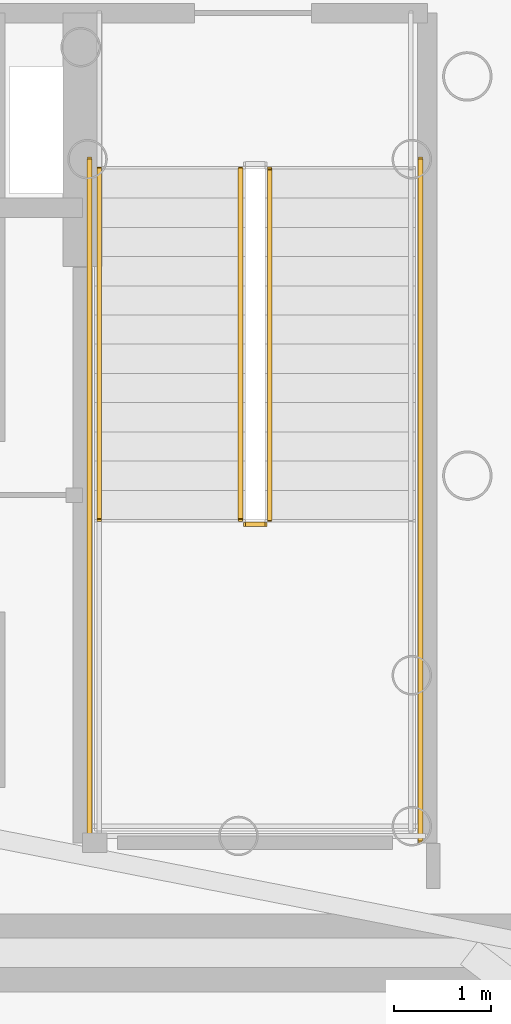
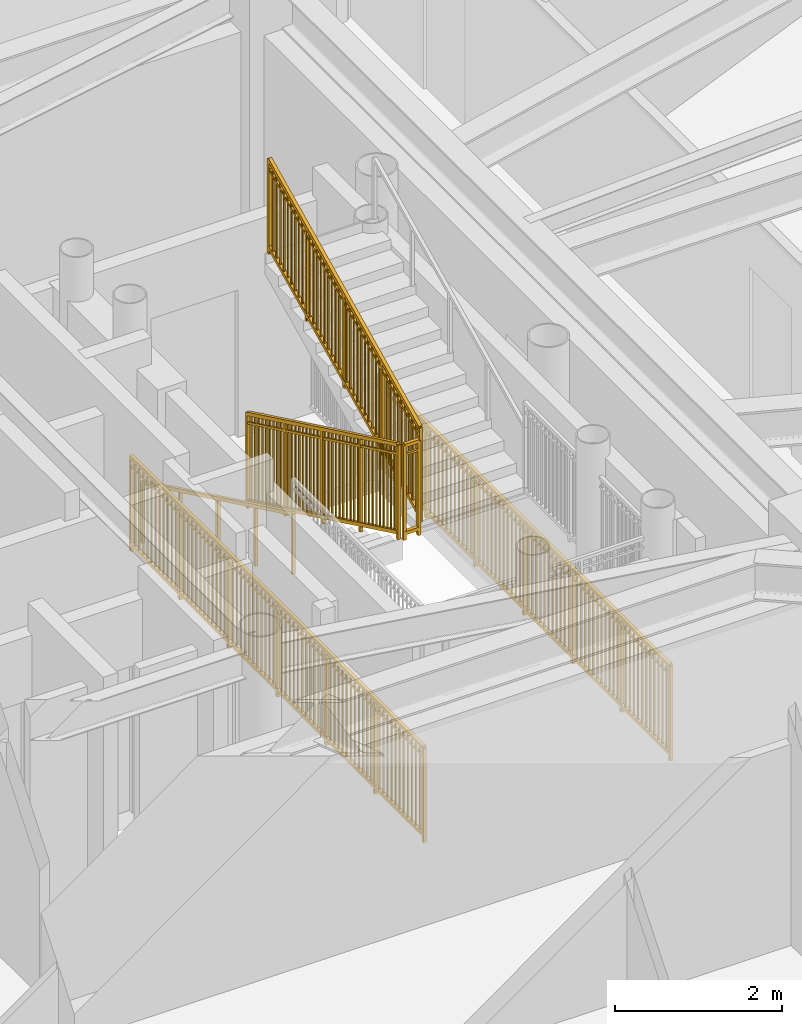
# One storey, part 17 of 18: 6 railings.
"""IFC4 building model written with IfcOpenShell, lengths in metres."""

from ifc_helpers import new_model, si_unit, direction, frame, origin, origin_2d, place, context, subcontext, project, spatial, rectangle, extrude, source, transform, mapped, material, type_object, element, save


model = new_model("IFC4")

# Units and contexts
model_context = context("Model", 3, precision=1e-05, world=origin(), true_north=direction((0.0, 1.0)))
body_context = subcontext(model_context, "Body", "Model", "MODEL_VIEW")
ifc_project = project(units=[si_unit("LENGTHUNIT", "METRE"), si_unit("AREAUNIT", "SQUARE_METRE"), si_unit("VOLUMEUNIT", "CUBIC_METRE"), si_unit("PLANEANGLEUNIT", "RADIAN"), si_unit("MASSUNIT", "GRAM", prefix="KILO")], contexts=[model_context])

# Site, building, storey
site_placement = place(None, origin())
site = spatial("IfcSite", under=ifc_project, at=site_placement, CompositionType="ELEMENT")
building_placement = place(site_placement, origin())
building = spatial("IfcBuilding", under=site, at=building_placement, Name="Linh Dai School and Residence Tower", CompositionType="ELEMENT")
storey_placement = place(building_placement, frame((0.0, 0.0, 100.949951171875)))
storey = spatial("IfcBuildingStorey", under=building, at=storey_placement, Name="L23", CompositionType="ELEMENT", Elevation=100.949951171875)

# Railings
ifc_material_1 = material(Name="Structural Steel S355JR", Category="steel")
railing_type_1 = type_object("IfcRailingType", Name="RL-ST-GUARD-1400", PredefinedType="GUARDRAIL", material=ifc_material_1)
shared_shape_1 = source(origin(), body_context, "Body", "SweptSolid", [
    extrude(rectangle(XDim=0.048095703125, YDim=0.048095703125, at=origin_2d()), frame((0.0, 0.0, 1.3759765625), z_axis=(0.0, 0.901262522062, 0.433273431364), x_axis=(-1.0, 0.0, 0.0)), (0.0, 0.0, 1.0), 3.994384765625),
    extrude(rectangle(XDim=0.048095703125, YDim=0.048095703125, at=origin_2d()), frame((0.0, 0.0, 0.10009765625), z_axis=(0.0, 0.901262522062, 0.433273431364), x_axis=(-1.0, 0.0, 0.0)), (0.0, 0.0, 1.0), 3.994384765625),
    extrude(rectangle(XDim=0.030029296875, YDim=0.030029296875, at=origin_2d()), frame((0.0, 0.0, 1.239990234375), z_axis=(0.0, 0.901262522062, 0.433273431364), x_axis=(-1.0, 0.0, 0.0)), (0.0, 0.0, 1.0), 3.994384765625),
    extrude(rectangle(XDim=0.02001953125, YDim=0.02001953125, at=origin_2d()), frame((0.0, 0.087890625, 0.142333984375)), (0.0, 0.0, 1.0), 1.251708984375),
    extrude(rectangle(XDim=0.02001953125, YDim=0.02001953125, at=origin_2d()), frame((0.0, 0.175537109375, 0.1845703125)), (0.0, 0.0, 1.0), 1.251708984375),
    extrude(rectangle(XDim=0.02001953125, YDim=0.02001953125, at=origin_2d()), frame((0.0, 0.263427734375, 0.226806640625)), (0.0, 0.0, 1.0), 1.251708984375),
    extrude(rectangle(XDim=0.02001953125, YDim=0.02001953125, at=origin_2d()), frame((0.0, 0.351318359375, 0.26904296875)), (0.0, 0.0, 1.0), 1.251708984375),
    extrude(rectangle(XDim=0.02001953125, YDim=0.02001953125, at=origin_2d()), frame((0.0, 0.43896484375, 0.311279296875)), (0.0, 0.0, 1.0), 1.251708984375),
    extrude(rectangle(XDim=0.02001953125, YDim=0.02001953125, at=origin_2d()), frame((0.0, 0.52685546875, 0.353271484375)), (0.0, 0.0, 1.0), 1.251708984375),
    extrude(rectangle(XDim=0.02001953125, YDim=0.02001953125, at=origin_2d()), frame((0.0, 0.61474609375, 0.3955078125)), (0.0, 0.0, 1.0), 1.251708984375),
    extrude(rectangle(XDim=0.02001953125, YDim=0.02001953125, at=origin_2d()), frame((0.0, 0.702392578125, 0.437744140625)), (0.0, 0.0, 1.0), 1.251708984375),
    extrude(rectangle(XDim=0.02001953125, YDim=0.02001953125, at=origin_2d()), frame((0.0, 0.790283203125, 0.47998046875)), (0.0, 0.0, 1.0), 1.251708984375),
    extrude(rectangle(XDim=0.02001953125, YDim=0.02001953125, at=origin_2d()), frame((0.0, 0.9658203125, 0.564453125)), (0.0, 0.0, 1.0), 1.251708984375),
    extrude(rectangle(XDim=0.02001953125, YDim=0.02001953125, at=origin_2d()), frame((0.0, 1.0537109375, 0.606689453125)), (0.0, 0.0, 1.0), 1.251708984375),
    extrude(rectangle(XDim=0.02001953125, YDim=0.02001953125, at=origin_2d()), frame((0.0, 1.1416015625, 0.64892578125)), (0.0, 0.0, 1.0), 1.251708984375),
    extrude(rectangle(XDim=0.02001953125, YDim=0.02001953125, at=origin_2d()), frame((0.0, 1.229248046875, 0.691162109375)), (0.0, 0.0, 1.0), 1.251708984375),
    extrude(rectangle(XDim=0.02001953125, YDim=0.02001953125, at=origin_2d()), frame((0.0, 1.317138671875, 0.7333984375)), (0.0, 0.0, 1.0), 1.251708984375),
    extrude(rectangle(XDim=0.02001953125, YDim=0.02001953125, at=origin_2d()), frame((0.0, 1.405029296875, 0.775390625)), (0.0, 0.0, 1.0), 1.251708984375),
    extrude(rectangle(XDim=0.02001953125, YDim=0.02001953125, at=origin_2d()), frame((0.0, 1.49267578125, 0.817626953125)), (0.0, 0.0, 1.0), 1.251708984375),
    extrude(rectangle(XDim=0.02001953125, YDim=0.02001953125, at=origin_2d()), frame((0.0, 1.58056640625, 0.85986328125)), (0.0, 0.0, 1.0), 1.251708984375),
    extrude(rectangle(XDim=0.02001953125, YDim=0.02001953125, at=origin_2d()), frame((0.0, 1.66845703125, 0.902099609375)), (0.0, 0.0, 1.0), 1.251708984375),
    extrude(rectangle(XDim=0.02001953125, YDim=0.02001953125, at=origin_2d()), frame((0.0, 1.756103515625, 0.9443359375)), (0.0, 0.0, 1.0), 1.251708984375),
    extrude(rectangle(XDim=0.02001953125, YDim=0.02001953125, at=origin_2d()), frame((0.0, 1.843994140625, 0.986572265625)), (0.0, 0.0, 1.0), 1.251708984375),
    extrude(rectangle(XDim=0.02001953125, YDim=0.02001953125, at=origin_2d()), frame((0.0, 1.931640625, 1.02880859375)), (0.0, 0.0, 1.0), 1.251708984375),
    extrude(rectangle(XDim=0.02001953125, YDim=0.02001953125, at=origin_2d()), frame((0.0, 2.01953125, 1.071044921875)), (0.0, 0.0, 1.0), 1.251708984375),
    extrude(rectangle(XDim=0.02001953125, YDim=0.02001953125, at=origin_2d()), frame((0.0, 2.107421875, 1.11328125)), (0.0, 0.0, 1.0), 1.251708984375),
    extrude(rectangle(XDim=0.02001953125, YDim=0.02001953125, at=origin_2d()), frame((0.0, 2.195068359375, 1.155517578125)), (0.0, 0.0, 1.0), 1.251708984375),
    extrude(rectangle(XDim=0.02001953125, YDim=0.02001953125, at=origin_2d()), frame((0.0, 2.282958984375, 1.197509765625)), (0.0, 0.0, 1.0), 1.251708984375),
    extrude(rectangle(XDim=0.02001953125, YDim=0.02001953125, at=origin_2d()), frame((0.0, 2.370849609375, 1.23974609375)), (0.0, 0.0, 1.0), 1.251708984375),
    extrude(rectangle(XDim=0.02001953125, YDim=0.02001953125, at=origin_2d()), frame((0.0, 2.45849609375, 1.281982421875)), (0.0, 0.0, 1.0), 1.251708984375),
    extrude(rectangle(XDim=0.02001953125, YDim=0.02001953125, at=origin_2d()), frame((0.0, 2.54638671875, 1.32421875)), (0.0, 0.0, 1.0), 1.251708984375),
    extrude(rectangle(XDim=0.02001953125, YDim=0.02001953125, at=origin_2d()), frame((0.0, 2.63427734375, 1.366455078125)), (0.0, 0.0, 1.0), 1.251708984375),
    extrude(rectangle(XDim=0.02001953125, YDim=0.02001953125, at=origin_2d()), frame((0.0, 2.809814453125, 1.450927734375)), (0.0, 0.0, 1.0), 1.251708984375),
    extrude(rectangle(XDim=0.02001953125, YDim=0.02001953125, at=origin_2d()), frame((0.0, 2.897705078125, 1.4931640625)), (0.0, 0.0, 1.0), 1.251708984375),
    extrude(rectangle(XDim=0.02001953125, YDim=0.02001953125, at=origin_2d()), frame((0.0, 2.9853515625, 1.535400390625)), (0.0, 0.0, 1.0), 1.251708984375),
    extrude(rectangle(XDim=0.02001953125, YDim=0.02001953125, at=origin_2d()), frame((0.0, 3.0732421875, 1.57763671875)), (0.0, 0.0, 1.0), 1.251708984375),
    extrude(rectangle(XDim=0.02001953125, YDim=0.02001953125, at=origin_2d()), frame((0.0, 3.1611328125, 1.61962890625)), (0.0, 0.0, 1.0), 1.251708984375),
    extrude(rectangle(XDim=0.02001953125, YDim=0.02001953125, at=origin_2d()), frame((0.0, 3.248779296875, 1.661865234375)), (0.0, 0.0, 1.0), 1.251708984375),
    extrude(rectangle(XDim=0.02001953125, YDim=0.02001953125, at=origin_2d()), frame((0.0, 3.336669921875, 1.7041015625)), (0.0, 0.0, 1.0), 1.251708984375),
    extrude(rectangle(XDim=0.02001953125, YDim=0.02001953125, at=origin_2d()), frame((0.0, 3.424560546875, 1.746337890625)), (0.0, 0.0, 1.0), 1.251708984375),
    extrude(rectangle(XDim=0.02001953125, YDim=0.02001953125, at=origin_2d()), frame((0.0, 3.51220703125, 1.78857421875)), (0.0, 0.0, 1.0), 1.251708984375),
    extrude(rectangle(XDim=0.0419921875, YDim=0.0419921875, at=origin_2d()), origin(), (0.0, 0.0, 1.0), 1.3759765625),
    extrude(rectangle(XDim=0.0419921875, YDim=0.0419921875, at=origin_2d()), frame((0.0, 0.89990234375, 0.4326171875)), (0.0, 0.0, 1.0), 1.3759765625),
    extrude(rectangle(XDim=0.0419921875, YDim=0.0419921875, at=origin_2d()), frame((0.0, 1.800048828125, 0.865234375)), (0.0, 0.0, 1.0), 1.3759765625),
    extrude(rectangle(XDim=0.0419921875, YDim=0.0419921875, at=origin_2d()), frame((0.0, 2.7001953125, 1.298095703125)), (0.0, 0.0, 1.0), 1.3759765625),
    extrude(rectangle(XDim=0.0419921875, YDim=0.0419921875, at=origin_2d()), frame((0.0, 3.60009765625, 1.730712890625)), (0.0, 0.0, 1.0), 1.3759765625),
])
railing_1_placement = place(storey_placement, frame((42.820068359375, 24.64990234375, 2.019287109375)))
element("IfcRailing", 1, at=railing_1_placement, inside=storey, type_object=railing_type_1, Name="L23 ST2 stair guard 6", PredefinedType="GUARDRAIL", context=body_context, shape_type="MappedRepresentation", body=[
    mapped(shared_shape_1, transform((0.0, 0.0, 0.0), x_axis=(1.0, 0.0, 0.0), y_axis=(0.0, 1.0, 0.0), z_axis=(0.0, 0.0, 1.0), scale=1.0)),
])
shared_shape_2 = source(origin(), body_context, "Body", "SweptSolid", [
    extrude(rectangle(XDim=0.048095703125, YDim=0.048095703125, at=origin_2d()), frame((0.0, 0.0, 1.3759765625), z_axis=(0.0, -0.901262522062, 0.433273431364), x_axis=(1.0, 0.0, 0.0)), (0.0, 0.0, 1.0), 3.994384765625),
    extrude(rectangle(XDim=0.048095703125, YDim=0.048095703125, at=origin_2d()), frame((0.0, 0.0, 0.10009765625), z_axis=(0.0, -0.901262522062, 0.433273431364), x_axis=(1.0, 0.0, 0.0)), (0.0, 0.0, 1.0), 3.994384765625),
    extrude(rectangle(XDim=0.030029296875, YDim=0.030029296875, at=origin_2d()), frame((0.0, 0.0, 1.239990234375), z_axis=(0.0, -0.901262522062, 0.433273431364), x_axis=(1.0, 0.0, 0.0)), (0.0, 0.0, 1.0), 3.994384765625),
    extrude(rectangle(XDim=0.02001953125, YDim=0.02001953125, at=origin_2d()), frame((0.0, -0.087890625, 0.142333984375)), (0.0, 0.0, 1.0), 1.251708984375),
    extrude(rectangle(XDim=0.02001953125, YDim=0.02001953125, at=origin_2d()), frame((0.0, -0.175537109375, 0.1845703125)), (0.0, 0.0, 1.0), 1.251708984375),
    extrude(rectangle(XDim=0.02001953125, YDim=0.02001953125, at=origin_2d()), frame((0.0, -0.263427734375, 0.226806640625)), (0.0, 0.0, 1.0), 1.251708984375),
    extrude(rectangle(XDim=0.02001953125, YDim=0.02001953125, at=origin_2d()), frame((0.0, -0.351318359375, 0.26904296875)), (0.0, 0.0, 1.0), 1.251708984375),
    extrude(rectangle(XDim=0.02001953125, YDim=0.02001953125, at=origin_2d()), frame((0.0, -0.43896484375, 0.311279296875)), (0.0, 0.0, 1.0), 1.251708984375),
    extrude(rectangle(XDim=0.02001953125, YDim=0.02001953125, at=origin_2d()), frame((0.0, -0.52685546875, 0.353271484375)), (0.0, 0.0, 1.0), 1.251708984375),
    extrude(rectangle(XDim=0.02001953125, YDim=0.02001953125, at=origin_2d()), frame((0.0, -0.61474609375, 0.3955078125)), (0.0, 0.0, 1.0), 1.251708984375),
    extrude(rectangle(XDim=0.02001953125, YDim=0.02001953125, at=origin_2d()), frame((0.0, -0.702392578125, 0.437744140625)), (0.0, 0.0, 1.0), 1.251708984375),
    extrude(rectangle(XDim=0.02001953125, YDim=0.02001953125, at=origin_2d()), frame((0.0, -0.790283203125, 0.47998046875)), (0.0, 0.0, 1.0), 1.251708984375),
    extrude(rectangle(XDim=0.02001953125, YDim=0.02001953125, at=origin_2d()), frame((0.0, -0.9658203125, 0.564453125)), (0.0, 0.0, 1.0), 1.251708984375),
    extrude(rectangle(XDim=0.02001953125, YDim=0.02001953125, at=origin_2d()), frame((0.0, -1.0537109375, 0.606689453125)), (0.0, 0.0, 1.0), 1.251708984375),
    extrude(rectangle(XDim=0.02001953125, YDim=0.02001953125, at=origin_2d()), frame((0.0, -1.1416015625, 0.64892578125)), (0.0, 0.0, 1.0), 1.251708984375),
    extrude(rectangle(XDim=0.02001953125, YDim=0.02001953125, at=origin_2d()), frame((0.0, -1.229248046875, 0.691162109375)), (0.0, 0.0, 1.0), 1.251708984375),
    extrude(rectangle(XDim=0.02001953125, YDim=0.02001953125, at=origin_2d()), frame((0.0, -1.317138671875, 0.7333984375)), (0.0, 0.0, 1.0), 1.251708984375),
    extrude(rectangle(XDim=0.02001953125, YDim=0.02001953125, at=origin_2d()), frame((0.0, -1.405029296875, 0.775390625)), (0.0, 0.0, 1.0), 1.251708984375),
    extrude(rectangle(XDim=0.02001953125, YDim=0.02001953125, at=origin_2d()), frame((0.0, -1.49267578125, 0.817626953125)), (0.0, 0.0, 1.0), 1.251708984375),
    extrude(rectangle(XDim=0.02001953125, YDim=0.02001953125, at=origin_2d()), frame((0.0, -1.58056640625, 0.85986328125)), (0.0, 0.0, 1.0), 1.251708984375),
    extrude(rectangle(XDim=0.02001953125, YDim=0.02001953125, at=origin_2d()), frame((0.0, -1.66845703125, 0.902099609375)), (0.0, 0.0, 1.0), 1.251708984375),
    extrude(rectangle(XDim=0.02001953125, YDim=0.02001953125, at=origin_2d()), frame((0.0, -1.756103515625, 0.9443359375)), (0.0, 0.0, 1.0), 1.251708984375),
    extrude(rectangle(XDim=0.02001953125, YDim=0.02001953125, at=origin_2d()), frame((0.0, -1.843994140625, 0.986572265625)), (0.0, 0.0, 1.0), 1.251708984375),
    extrude(rectangle(XDim=0.02001953125, YDim=0.02001953125, at=origin_2d()), frame((0.0, -1.931640625, 1.02880859375)), (0.0, 0.0, 1.0), 1.251708984375),
    extrude(rectangle(XDim=0.02001953125, YDim=0.02001953125, at=origin_2d()), frame((0.0, -2.01953125, 1.071044921875)), (0.0, 0.0, 1.0), 1.251708984375),
    extrude(rectangle(XDim=0.02001953125, YDim=0.02001953125, at=origin_2d()), frame((0.0, -2.107421875, 1.11328125)), (0.0, 0.0, 1.0), 1.251708984375),
    extrude(rectangle(XDim=0.02001953125, YDim=0.02001953125, at=origin_2d()), frame((0.0, -2.195068359375, 1.155517578125)), (0.0, 0.0, 1.0), 1.251708984375),
    extrude(rectangle(XDim=0.02001953125, YDim=0.02001953125, at=origin_2d()), frame((0.0, -2.282958984375, 1.197509765625)), (0.0, 0.0, 1.0), 1.251708984375),
    extrude(rectangle(XDim=0.02001953125, YDim=0.02001953125, at=origin_2d()), frame((0.0, -2.370849609375, 1.23974609375)), (0.0, 0.0, 1.0), 1.251708984375),
    extrude(rectangle(XDim=0.02001953125, YDim=0.02001953125, at=origin_2d()), frame((0.0, -2.45849609375, 1.281982421875)), (0.0, 0.0, 1.0), 1.251708984375),
    extrude(rectangle(XDim=0.02001953125, YDim=0.02001953125, at=origin_2d()), frame((0.0, -2.54638671875, 1.32421875)), (0.0, 0.0, 1.0), 1.251708984375),
    extrude(rectangle(XDim=0.02001953125, YDim=0.02001953125, at=origin_2d()), frame((0.0, -2.63427734375, 1.366455078125)), (0.0, 0.0, 1.0), 1.251708984375),
    extrude(rectangle(XDim=0.02001953125, YDim=0.02001953125, at=origin_2d()), frame((0.0, -2.809814453125, 1.450927734375)), (0.0, 0.0, 1.0), 1.251708984375),
    extrude(rectangle(XDim=0.02001953125, YDim=0.02001953125, at=origin_2d()), frame((0.0, -2.897705078125, 1.4931640625)), (0.0, 0.0, 1.0), 1.251708984375),
    extrude(rectangle(XDim=0.02001953125, YDim=0.02001953125, at=origin_2d()), frame((0.0, -2.9853515625, 1.535400390625)), (0.0, 0.0, 1.0), 1.251708984375),
    extrude(rectangle(XDim=0.02001953125, YDim=0.02001953125, at=origin_2d()), frame((0.0, -3.0732421875, 1.57763671875)), (0.0, 0.0, 1.0), 1.251708984375),
    extrude(rectangle(XDim=0.02001953125, YDim=0.02001953125, at=origin_2d()), frame((0.0, -3.1611328125, 1.61962890625)), (0.0, 0.0, 1.0), 1.251708984375),
    extrude(rectangle(XDim=0.02001953125, YDim=0.02001953125, at=origin_2d()), frame((0.0, -3.248779296875, 1.661865234375)), (0.0, 0.0, 1.0), 1.251708984375),
    extrude(rectangle(XDim=0.02001953125, YDim=0.02001953125, at=origin_2d()), frame((0.0, -3.336669921875, 1.7041015625)), (0.0, 0.0, 1.0), 1.251708984375),
    extrude(rectangle(XDim=0.02001953125, YDim=0.02001953125, at=origin_2d()), frame((0.0, -3.424560546875, 1.746337890625)), (0.0, 0.0, 1.0), 1.251708984375),
    extrude(rectangle(XDim=0.02001953125, YDim=0.02001953125, at=origin_2d()), frame((0.0, -3.51220703125, 1.78857421875)), (0.0, 0.0, 1.0), 1.251708984375),
    extrude(rectangle(XDim=0.0419921875, YDim=0.0419921875, at=origin_2d()), origin(), (0.0, 0.0, 1.0), 1.3759765625),
    extrude(rectangle(XDim=0.0419921875, YDim=0.0419921875, at=origin_2d()), frame((0.0, -0.89990234375, 0.4326171875)), (0.0, 0.0, 1.0), 1.3759765625),
    extrude(rectangle(XDim=0.0419921875, YDim=0.0419921875, at=origin_2d()), frame((0.0, -1.800048828125, 0.865234375)), (0.0, 0.0, 1.0), 1.3759765625),
    extrude(rectangle(XDim=0.0419921875, YDim=0.0419921875, at=origin_2d()), frame((0.0, -2.7001953125, 1.298095703125)), (0.0, 0.0, 1.0), 1.3759765625),
    extrude(rectangle(XDim=0.0419921875, YDim=0.0419921875, at=origin_2d()), frame((0.0, -3.60009765625, 1.730712890625)), (0.0, 0.0, 1.0), 1.3759765625),
])
railing_2_placement = place(storey_placement, frame((42.52001953125, 28.25, 0.144287109375)))
element("IfcRailing", 2, at=railing_2_placement, inside=storey, type_object=railing_type_1, Name="L23 ST2 stair guard 1", PredefinedType="GUARDRAIL", context=body_context, shape_type="MappedRepresentation", body=[
    mapped(shared_shape_2, transform((0.0, 0.0, 0.0), x_axis=(1.0, 0.0, 0.0), y_axis=(0.0, 1.0, 0.0), z_axis=(0.0, 0.0, 1.0), scale=1.0)),
])
ifc_material_2 = material(Name="Brushed Stainless Steel Handrail", Category="steel")
railing_type_2 = type_object("IfcRailingType", Name="RL-ST-HANDRAIL-900", PredefinedType="HANDRAIL", material=ifc_material_2)
shared_shape_3 = source(origin(), body_context, "Body", "SweptSolid", [
    extrude(rectangle(XDim=0.048095703125, YDim=0.048095703125, at=origin_2d()), frame((0.0, 0.0, 0.8759765625), z_axis=(0.0, -0.901262522062, 0.433273431364), x_axis=(1.0, 0.0, 0.0)), (0.0, 0.0, 1.0), 3.994384765625),
    extrude(rectangle(XDim=0.0419921875, YDim=0.0419921875, at=origin_2d()), origin(), (0.0, 0.0, 1.0), 0.8759765625),
    extrude(rectangle(XDim=0.0419921875, YDim=0.0419921875, at=origin_2d()), frame((0.0, -0.89990234375, 0.4326171875)), (0.0, 0.0, 1.0), 0.8759765625),
    extrude(rectangle(XDim=0.0419921875, YDim=0.0419921875, at=origin_2d()), frame((0.0, -1.800048828125, 0.865234375)), (0.0, 0.0, 1.0), 0.8759765625),
    extrude(rectangle(XDim=0.0419921875, YDim=0.0419921875, at=origin_2d()), frame((0.0, -2.7001953125, 1.298095703125)), (0.0, 0.0, 1.0), 0.8759765625),
    extrude(rectangle(XDim=0.0419921875, YDim=0.0419921875, at=origin_2d()), frame((0.0, -3.60009765625, 1.730712890625)), (0.0, 0.0, 1.0), 0.8759765625),
])
railing_3_placement = place(storey_placement, frame((41.070068359375, 28.25, 0.144287109375)))
element("IfcRailing", 3, at=railing_3_placement, inside=storey, type_object=railing_type_2, Name="L23 ST2 stair handrail 1", PredefinedType="HANDRAIL", context=body_context, shape_type="MappedRepresentation", body=[
    mapped(shared_shape_3, transform((0.0, 0.0, 0.0), x_axis=(1.0, 0.0, 0.0), y_axis=(0.0, 1.0, 0.0), z_axis=(0.0, 0.0, 1.0), scale=1.0)),
])
shared_shape_4 = source(origin(), body_context, "Body", "SweptSolid", [
    extrude(rectangle(XDim=0.048095703125, YDim=0.048095703125, at=origin_2d()), frame((0.0, 0.0, 1.3759765625), z_axis=(1.0, 0.0, 0.0), x_axis=(0.0, 1.0, 0.0)), (0.0, 0.0, 1.0), 0.199951171875),
    extrude(rectangle(XDim=0.048095703125, YDim=0.048095703125, at=origin_2d()), frame((0.0, 0.0, 0.10009765625), z_axis=(1.0, 0.0, 0.0), x_axis=(0.0, 1.0, 0.0)), (0.0, 0.0, 1.0), 0.199951171875),
    extrude(rectangle(XDim=0.030029296875, YDim=0.030029296875, at=origin_2d()), frame((0.0, 0.0, 1.239990234375), z_axis=(1.0, 0.0, 0.0), x_axis=(0.0, 1.0, 0.0)), (0.0, 0.0, 1.0), 0.199951171875),
    extrude(rectangle(XDim=0.0419921875, YDim=0.0419921875, at=origin_2d()), origin(), (0.0, 0.0, 1.0), 1.3759765625),
    extrude(rectangle(XDim=0.0419921875, YDim=0.0419921875, at=origin_2d()), frame((0.199951171875, 0.0, 0.0)), (0.0, 0.0, 1.0), 1.3759765625),
])
railing_4_placement = place(storey_placement, frame((42.570068359375, 24.60009765625, 1.875)))
element("IfcRailing", 4, at=railing_4_placement, inside=storey, type_object=railing_type_1, Name="L23 ST2 stair guard 2", PredefinedType="GUARDRAIL", context=body_context, shape_type="MappedRepresentation", body=[
    mapped(shared_shape_4, transform((0.0, 0.0, 0.0), x_axis=(1.0, 0.0, 0.0), y_axis=(0.0, 1.0, 0.0), z_axis=(0.0, 0.0, 1.0), scale=1.0)),
])
shared_shape_5 = source(origin(), body_context, "Body", "SweptSolid", [
    extrude(rectangle(XDim=0.048095703125, YDim=0.048095703125, at=origin_2d()), frame((0.0, 0.0, 1.3759765625), z_axis=(0.0, -1.0, 0.0), x_axis=(1.0, 0.0, 0.0)), (0.0, 0.0, 1.0), 7.0),
    extrude(rectangle(XDim=0.048095703125, YDim=0.048095703125, at=origin_2d()), frame((0.0, 0.0, 0.10009765625), z_axis=(0.0, -1.0, 0.0), x_axis=(1.0, 0.0, 0.0)), (0.0, 0.0, 1.0), 7.0),
    extrude(rectangle(XDim=0.030029296875, YDim=0.030029296875, at=origin_2d()), frame((0.0, 0.0, 1.239990234375), z_axis=(0.0, -1.0, 0.0), x_axis=(1.0, 0.0, 0.0)), (0.0, 0.0, 1.0), 7.0),
    extrude(rectangle(XDim=0.02001953125, YDim=0.02001953125, at=origin_2d()), frame((0.0, -0.09716796875, 0.10009765625)), (0.0, 0.0, 1.0), 1.251708984375),
    extrude(rectangle(XDim=0.02001953125, YDim=0.02001953125, at=origin_2d()), frame((0.0, -0.1943359375, 0.10009765625)), (0.0, 0.0, 1.0), 1.251708984375),
    extrude(rectangle(XDim=0.02001953125, YDim=0.02001953125, at=origin_2d()), frame((0.0, -0.291748046875, 0.10009765625)), (0.0, 0.0, 1.0), 1.251708984375),
    extrude(rectangle(XDim=0.02001953125, YDim=0.02001953125, at=origin_2d()), frame((0.0, -0.388916015625, 0.10009765625)), (0.0, 0.0, 1.0), 1.251708984375),
    extrude(rectangle(XDim=0.02001953125, YDim=0.02001953125, at=origin_2d()), frame((0.0, -0.486083984375, 0.10009765625)), (0.0, 0.0, 1.0), 1.251708984375),
    extrude(rectangle(XDim=0.02001953125, YDim=0.02001953125, at=origin_2d()), frame((0.0, -0.583251953125, 0.10009765625)), (0.0, 0.0, 1.0), 1.251708984375),
    extrude(rectangle(XDim=0.02001953125, YDim=0.02001953125, at=origin_2d()), frame((0.0, -0.6806640625, 0.10009765625)), (0.0, 0.0, 1.0), 1.251708984375),
    extrude(rectangle(XDim=0.02001953125, YDim=0.02001953125, at=origin_2d()), frame((0.0, -0.77783203125, 0.10009765625)), (0.0, 0.0, 1.0), 1.251708984375),
    extrude(rectangle(XDim=0.02001953125, YDim=0.02001953125, at=origin_2d()), frame((0.0, -0.875, 0.10009765625)), (0.0, 0.0, 1.0), 1.251708984375),
    extrude(rectangle(XDim=0.02001953125, YDim=0.02001953125, at=origin_2d()), frame((0.0, -0.97216796875, 0.10009765625)), (0.0, 0.0, 1.0), 1.251708984375),
    extrude(rectangle(XDim=0.02001953125, YDim=0.02001953125, at=origin_2d()), frame((0.0, -1.0693359375, 0.10009765625)), (0.0, 0.0, 1.0), 1.251708984375),
    extrude(rectangle(XDim=0.02001953125, YDim=0.02001953125, at=origin_2d()), frame((0.0, -1.263916015625, 0.10009765625)), (0.0, 0.0, 1.0), 1.251708984375),
    extrude(rectangle(XDim=0.02001953125, YDim=0.02001953125, at=origin_2d()), frame((0.0, -1.361083984375, 0.10009765625)), (0.0, 0.0, 1.0), 1.251708984375),
    extrude(rectangle(XDim=0.02001953125, YDim=0.02001953125, at=origin_2d()), frame((0.0, -1.458251953125, 0.10009765625)), (0.0, 0.0, 1.0), 1.251708984375),
    extrude(rectangle(XDim=0.02001953125, YDim=0.02001953125, at=origin_2d()), frame((0.0, -1.5556640625, 0.10009765625)), (0.0, 0.0, 1.0), 1.251708984375),
    extrude(rectangle(XDim=0.02001953125, YDim=0.02001953125, at=origin_2d()), frame((0.0, -1.65283203125, 0.10009765625)), (0.0, 0.0, 1.0), 1.251708984375),
    extrude(rectangle(XDim=0.02001953125, YDim=0.02001953125, at=origin_2d()), frame((0.0, -1.75, 0.10009765625)), (0.0, 0.0, 1.0), 1.251708984375),
    extrude(rectangle(XDim=0.02001953125, YDim=0.02001953125, at=origin_2d()), frame((0.0, -1.84716796875, 0.10009765625)), (0.0, 0.0, 1.0), 1.251708984375),
    extrude(rectangle(XDim=0.02001953125, YDim=0.02001953125, at=origin_2d()), frame((0.0, -1.9443359375, 0.10009765625)), (0.0, 0.0, 1.0), 1.251708984375),
    extrude(rectangle(XDim=0.02001953125, YDim=0.02001953125, at=origin_2d()), frame((0.0, -2.041748046875, 0.10009765625)), (0.0, 0.0, 1.0), 1.251708984375),
    extrude(rectangle(XDim=0.02001953125, YDim=0.02001953125, at=origin_2d()), frame((0.0, -2.138916015625, 0.10009765625)), (0.0, 0.0, 1.0), 1.251708984375),
    extrude(rectangle(XDim=0.02001953125, YDim=0.02001953125, at=origin_2d()), frame((0.0, -2.236083984375, 0.10009765625)), (0.0, 0.0, 1.0), 1.251708984375),
    extrude(rectangle(XDim=0.02001953125, YDim=0.02001953125, at=origin_2d()), frame((0.0, -2.4306640625, 0.10009765625)), (0.0, 0.0, 1.0), 1.251708984375),
    extrude(rectangle(XDim=0.02001953125, YDim=0.02001953125, at=origin_2d()), frame((0.0, -2.52783203125, 0.10009765625)), (0.0, 0.0, 1.0), 1.251708984375),
    extrude(rectangle(XDim=0.02001953125, YDim=0.02001953125, at=origin_2d()), frame((0.0, -2.625, 0.10009765625)), (0.0, 0.0, 1.0), 1.251708984375),
    extrude(rectangle(XDim=0.02001953125, YDim=0.02001953125, at=origin_2d()), frame((0.0, -2.72216796875, 0.10009765625)), (0.0, 0.0, 1.0), 1.251708984375),
    extrude(rectangle(XDim=0.02001953125, YDim=0.02001953125, at=origin_2d()), frame((0.0, -2.8193359375, 0.10009765625)), (0.0, 0.0, 1.0), 1.251708984375),
    extrude(rectangle(XDim=0.02001953125, YDim=0.02001953125, at=origin_2d()), frame((0.0, -2.916748046875, 0.10009765625)), (0.0, 0.0, 1.0), 1.251708984375),
    extrude(rectangle(XDim=0.02001953125, YDim=0.02001953125, at=origin_2d()), frame((0.0, -3.013916015625, 0.10009765625)), (0.0, 0.0, 1.0), 1.251708984375),
    extrude(rectangle(XDim=0.02001953125, YDim=0.02001953125, at=origin_2d()), frame((0.0, -3.111083984375, 0.10009765625)), (0.0, 0.0, 1.0), 1.251708984375),
    extrude(rectangle(XDim=0.02001953125, YDim=0.02001953125, at=origin_2d()), frame((0.0, -3.208251953125, 0.10009765625)), (0.0, 0.0, 1.0), 1.251708984375),
    extrude(rectangle(XDim=0.02001953125, YDim=0.02001953125, at=origin_2d()), frame((0.0, -3.3056640625, 0.10009765625)), (0.0, 0.0, 1.0), 1.251708984375),
    extrude(rectangle(XDim=0.02001953125, YDim=0.02001953125, at=origin_2d()), frame((0.0, -3.40283203125, 0.10009765625)), (0.0, 0.0, 1.0), 1.251708984375),
    extrude(rectangle(XDim=0.02001953125, YDim=0.02001953125, at=origin_2d()), frame((0.0, -3.59716796875, 0.10009765625)), (0.0, 0.0, 1.0), 1.251708984375),
    extrude(rectangle(XDim=0.02001953125, YDim=0.02001953125, at=origin_2d()), frame((0.0, -3.6943359375, 0.10009765625)), (0.0, 0.0, 1.0), 1.251708984375),
    extrude(rectangle(XDim=0.02001953125, YDim=0.02001953125, at=origin_2d()), frame((0.0, -3.791748046875, 0.10009765625)), (0.0, 0.0, 1.0), 1.251708984375),
    extrude(rectangle(XDim=0.02001953125, YDim=0.02001953125, at=origin_2d()), frame((0.0, -3.888916015625, 0.10009765625)), (0.0, 0.0, 1.0), 1.251708984375),
    extrude(rectangle(XDim=0.02001953125, YDim=0.02001953125, at=origin_2d()), frame((0.0, -3.986083984375, 0.10009765625)), (0.0, 0.0, 1.0), 1.251708984375),
    extrude(rectangle(XDim=0.02001953125, YDim=0.02001953125, at=origin_2d()), frame((0.0, -4.083251953125, 0.10009765625)), (0.0, 0.0, 1.0), 1.251708984375),
    extrude(rectangle(XDim=0.02001953125, YDim=0.02001953125, at=origin_2d()), frame((0.0, -4.1806640625, 0.10009765625)), (0.0, 0.0, 1.0), 1.251708984375),
    extrude(rectangle(XDim=0.02001953125, YDim=0.02001953125, at=origin_2d()), frame((0.0, -4.27783203125, 0.10009765625)), (0.0, 0.0, 1.0), 1.251708984375),
    extrude(rectangle(XDim=0.02001953125, YDim=0.02001953125, at=origin_2d()), frame((0.0, -4.375, 0.10009765625)), (0.0, 0.0, 1.0), 1.251708984375),
    extrude(rectangle(XDim=0.02001953125, YDim=0.02001953125, at=origin_2d()), frame((0.0, -4.47216796875, 0.10009765625)), (0.0, 0.0, 1.0), 1.251708984375),
    extrude(rectangle(XDim=0.02001953125, YDim=0.02001953125, at=origin_2d()), frame((0.0, -4.5693359375, 0.10009765625)), (0.0, 0.0, 1.0), 1.251708984375),
    extrude(rectangle(XDim=0.02001953125, YDim=0.02001953125, at=origin_2d()), frame((0.0, -4.763916015625, 0.10009765625)), (0.0, 0.0, 1.0), 1.251708984375),
    extrude(rectangle(XDim=0.02001953125, YDim=0.02001953125, at=origin_2d()), frame((0.0, -4.861083984375, 0.10009765625)), (0.0, 0.0, 1.0), 1.251708984375),
    extrude(rectangle(XDim=0.02001953125, YDim=0.02001953125, at=origin_2d()), frame((0.0, -4.958251953125, 0.10009765625)), (0.0, 0.0, 1.0), 1.251708984375),
    extrude(rectangle(XDim=0.02001953125, YDim=0.02001953125, at=origin_2d()), frame((0.0, -5.0556640625, 0.10009765625)), (0.0, 0.0, 1.0), 1.251708984375),
    extrude(rectangle(XDim=0.02001953125, YDim=0.02001953125, at=origin_2d()), frame((0.0, -5.15283203125, 0.10009765625)), (0.0, 0.0, 1.0), 1.251708984375),
    extrude(rectangle(XDim=0.02001953125, YDim=0.02001953125, at=origin_2d()), frame((0.0, -5.25, 0.10009765625)), (0.0, 0.0, 1.0), 1.251708984375),
    extrude(rectangle(XDim=0.02001953125, YDim=0.02001953125, at=origin_2d()), frame((0.0, -5.34716796875, 0.10009765625)), (0.0, 0.0, 1.0), 1.251708984375),
    extrude(rectangle(XDim=0.02001953125, YDim=0.02001953125, at=origin_2d()), frame((0.0, -5.4443359375, 0.10009765625)), (0.0, 0.0, 1.0), 1.251708984375),
    extrude(rectangle(XDim=0.02001953125, YDim=0.02001953125, at=origin_2d()), frame((0.0, -5.541748046875, 0.10009765625)), (0.0, 0.0, 1.0), 1.251708984375),
    extrude(rectangle(XDim=0.02001953125, YDim=0.02001953125, at=origin_2d()), frame((0.0, -5.638916015625, 0.10009765625)), (0.0, 0.0, 1.0), 1.251708984375),
    extrude(rectangle(XDim=0.02001953125, YDim=0.02001953125, at=origin_2d()), frame((0.0, -5.736083984375, 0.10009765625)), (0.0, 0.0, 1.0), 1.251708984375),
    extrude(rectangle(XDim=0.02001953125, YDim=0.02001953125, at=origin_2d()), frame((0.0, -5.9306640625, 0.10009765625)), (0.0, 0.0, 1.0), 1.251708984375),
    extrude(rectangle(XDim=0.02001953125, YDim=0.02001953125, at=origin_2d()), frame((0.0, -6.02783203125, 0.10009765625)), (0.0, 0.0, 1.0), 1.251708984375),
    extrude(rectangle(XDim=0.02001953125, YDim=0.02001953125, at=origin_2d()), frame((0.0, -6.125, 0.10009765625)), (0.0, 0.0, 1.0), 1.251708984375),
    extrude(rectangle(XDim=0.02001953125, YDim=0.02001953125, at=origin_2d()), frame((0.0, -6.22216796875, 0.10009765625)), (0.0, 0.0, 1.0), 1.251708984375),
    extrude(rectangle(XDim=0.02001953125, YDim=0.02001953125, at=origin_2d()), frame((0.0, -6.3193359375, 0.10009765625)), (0.0, 0.0, 1.0), 1.251708984375),
    extrude(rectangle(XDim=0.02001953125, YDim=0.02001953125, at=origin_2d()), frame((0.0, -6.416748046875, 0.10009765625)), (0.0, 0.0, 1.0), 1.251708984375),
    extrude(rectangle(XDim=0.02001953125, YDim=0.02001953125, at=origin_2d()), frame((0.0, -6.513916015625, 0.10009765625)), (0.0, 0.0, 1.0), 1.251708984375),
    extrude(rectangle(XDim=0.02001953125, YDim=0.02001953125, at=origin_2d()), frame((0.0, -6.611083984375, 0.10009765625)), (0.0, 0.0, 1.0), 1.251708984375),
    extrude(rectangle(XDim=0.02001953125, YDim=0.02001953125, at=origin_2d()), frame((0.0, -6.708251953125, 0.10009765625)), (0.0, 0.0, 1.0), 1.251708984375),
    extrude(rectangle(XDim=0.02001953125, YDim=0.02001953125, at=origin_2d()), frame((0.0, -6.8056640625, 0.10009765625)), (0.0, 0.0, 1.0), 1.251708984375),
    extrude(rectangle(XDim=0.02001953125, YDim=0.02001953125, at=origin_2d()), frame((0.0, -6.90283203125, 0.10009765625)), (0.0, 0.0, 1.0), 1.251708984375),
    extrude(rectangle(XDim=0.0419921875, YDim=0.0419921875, at=origin_2d()), origin(), (0.0, 0.0, 1.0), 1.3759765625),
    extrude(rectangle(XDim=0.0419921875, YDim=0.0419921875, at=origin_2d()), frame((0.0, -1.166748046875, 0.0)), (0.0, 0.0, 1.0), 1.3759765625),
    extrude(rectangle(XDim=0.0419921875, YDim=0.0419921875, at=origin_2d()), frame((0.0, -2.333251953125, 0.0)), (0.0, 0.0, 1.0), 1.3759765625),
    extrude(rectangle(XDim=0.0419921875, YDim=0.0419921875, at=origin_2d()), frame((0.0, -3.5, 0.0)), (0.0, 0.0, 1.0), 1.3759765625),
    extrude(rectangle(XDim=0.0419921875, YDim=0.0419921875, at=origin_2d()), frame((0.0, -4.666748046875, 0.0)), (0.0, 0.0, 1.0), 1.3759765625),
    extrude(rectangle(XDim=0.0419921875, YDim=0.0419921875, at=origin_2d()), frame((0.0, -5.833251953125, 0.0)), (0.0, 0.0, 1.0), 1.3759765625),
    extrude(rectangle(XDim=0.0419921875, YDim=0.0419921875, at=origin_2d()), frame((0.0, -7.0, 0.0)), (0.0, 0.0, 1.0), 1.3759765625),
])
for number, where, name in (
    (5, (40.969970703125, 28.35009765625, 0.0), "L23 ST2 stair guard 10"),
    (6, (44.3701171875, 28.35009765625, 0.0), "L23 ST2 stair guard 11"),
):
    element("IfcRailing", number, at=place(storey_placement, frame(where)), inside=storey, type_object=railing_type_1, Name=name, PredefinedType="GUARDRAIL", context=body_context, shape_type="MappedRepresentation", body=[
        mapped(shared_shape_5, transform((0.0, 0.0, 0.0), x_axis=(1.0, 0.0, 0.0), y_axis=(0.0, 1.0, 0.0), z_axis=(0.0, 0.0, 1.0), scale=1.0)),
    ])

save(model, "model.ifc")
